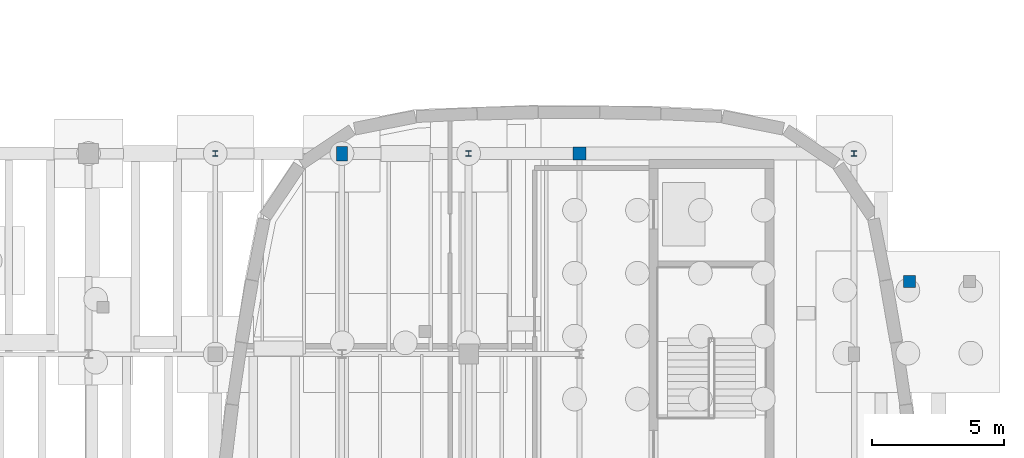
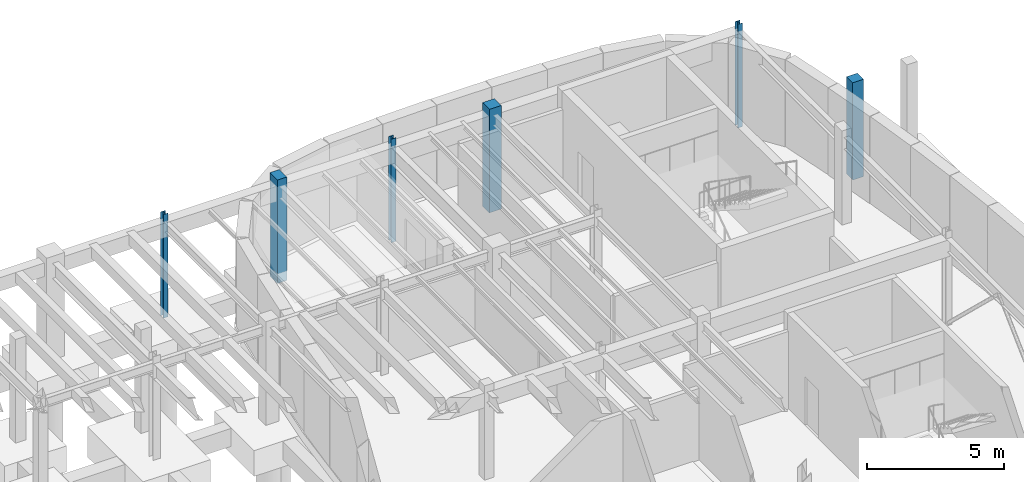
# One storey, part 24 of 45: 6 columns.
"""IFC4 building model written with IfcOpenShell, lengths in metres."""

from ifc_helpers import new_model, si_unit, direction, frame, origin, origin_2d, place, context, subcontext, project, spatial, rectangle, i_section, extrude, material, material_profile, profile_set, type_object, element, save


model = new_model("IFC4")

# Units and contexts
model_context = context("Model", 3, precision=1e-05, world=origin(), true_north=direction((0.0, 1.0)))
body_context = subcontext(model_context, "Body", "Model", "MODEL_VIEW")
ifc_project = project(units=[si_unit("LENGTHUNIT", "METRE"), si_unit("AREAUNIT", "SQUARE_METRE"), si_unit("VOLUMEUNIT", "CUBIC_METRE"), si_unit("PLANEANGLEUNIT", "RADIAN"), si_unit("MASSUNIT", "GRAM", prefix="KILO")], contexts=[model_context])

# Site, building, storey
site_placement = place(None, origin())
site = spatial("IfcSite", under=ifc_project, at=site_placement, CompositionType="ELEMENT")
building_placement = place(site_placement, origin())
building = spatial("IfcBuilding", under=site, at=building_placement, Name="Corveleigh Park Community Centre", CompositionType="ELEMENT")
storey_placement = place(building_placement, frame((0.0, 0.0, -4.199951171875)))
storey = spatial("IfcBuildingStorey", under=building, at=storey_placement, Name="B1", CompositionType="ELEMENT", Elevation=-4.199951171875)

# Columns
ifc_material_1 = material(Name="Concrete C40/50", Category="concrete")
ifc_material_profile_1 = material_profile(ifc_material_1, rectangle(XDim=0.39990234375, YDim=0.550048828125, at=origin_2d()), Name="RC-400x550", Category="concrete")
ifc_profile_set_1 = profile_set([ifc_material_profile_1], Name="Concrete C40/50")
column_type_1 = type_object("IfcColumnType", Name="COL-RC-400x550", PredefinedType="COLUMN", material=ifc_profile_set_1)
column_1_placement = place(storey_placement, frame((149.0, 104.199951171875, -0.4150390625), z_axis=(0.0, 0.0, 1.0), x_axis=(1.0, 0.0, 0.0)))
element("IfcColumn", 1, at=column_1_placement, inside=storey, type_object=column_type_1, Name="Column V4-X4Y6 B1", PredefinedType="COLUMN", context=body_context, shape_type="SweptSolid", body=[
    extrude(rectangle(XDim=0.39990234375, YDim=0.550048828125, at=origin_2d()), origin(), (0.0, 0.0, 1.0), 4.614990234375),
])
ifc_material_profile_2 = material_profile(ifc_material_1, rectangle(XDim=0.449951171875, YDim=0.449951171875, at=origin_2d()), Name="RC-450x450", Category="concrete")
ifc_profile_set_2 = profile_set([ifc_material_profile_2], Name="Concrete C40/50")
column_type_2 = type_object("IfcColumnType", Name="COL-RC-450x450", PredefinedType="COLUMN", material=ifc_profile_set_2)
column_2_placement = place(storey_placement, frame((170.501953125, 99.35693359375, -0.4150390625), z_axis=(0.0, 0.0, 1.0), x_axis=(1.0, 0.0, 0.0)))
element("IfcColumn", 2, at=column_2_placement, inside=storey, type_object=column_type_2, Name="External deck support pier 176 B1", PredefinedType="COLUMN", context=body_context, shape_type="SweptSolid", body=[
    extrude(rectangle(XDim=0.449951171875, YDim=0.449951171875, at=origin_2d()), origin(), (0.0, 0.0, 1.0), 4.3330078125),
])
ifc_material_profile_3 = material_profile(ifc_material_1, rectangle(XDim=0.5, YDim=0.5, at=origin_2d()), Name="RC-500x500", Category="concrete")
ifc_profile_set_3 = profile_set([ifc_material_profile_3], Name="Concrete C40/50")
column_type_3 = type_object("IfcColumnType", Name="COL-RC-500x500", PredefinedType="COLUMN", material=ifc_profile_set_3)
column_3_placement = place(storey_placement, frame((158.0, 104.199951171875, -0.4150390625), z_axis=(0.0, 0.0, 1.0), x_axis=(1.0, 0.0, 0.0)))
element("IfcColumn", 3, at=column_3_placement, inside=storey, type_object=column_type_3, Name="Column V4-X6Y6 B1", PredefinedType="COLUMN", context=body_context, shape_type="SweptSolid", body=[
    extrude(rectangle(XDim=0.5, YDim=0.5, at=origin_2d()), origin(), (0.0, 0.0, 1.0), 4.614990234375),
])
ifc_material_2 = material(Name="Steel S355", Category="steel")
ifc_material_profile_4 = material_profile(ifc_material_2, i_section(OverallWidth=0.204345703125, OverallDepth=0.206298828125, WebThickness=0.0078125, FlangeThickness=0.012451171875, at=origin_2d()), Name="UKC 203x203x52", Category="steel")
ifc_profile_set_4 = profile_set([ifc_material_profile_4], Name="Steel S355")
column_type_4 = type_object("IfcColumnType", Name="COL-STL-UKC203x52", PredefinedType="COLUMN", material=ifc_profile_set_4)
column_4_placement = place(storey_placement, frame((144.199951171875, 104.199951171875, -0.4150390625), z_axis=(0.0, 0.0, 1.0), x_axis=(1.0, 0.0, 0.0)))
element("IfcColumn", 4, at=column_4_placement, inside=storey, type_object=column_type_4, Name="Column V4-X3Y6 B1", PredefinedType="COLUMN", context=body_context, shape_type="SweptSolid", body=[
    extrude(i_section(OverallWidth=0.204345703125, OverallDepth=0.206298828125, WebThickness=0.0078125, FlangeThickness=0.012451171875, at=origin_2d()), origin(), (0.0, 0.0, 1.0), 4.614990234375),
])
ifc_material_profile_5 = material_profile(ifc_material_2, i_section(OverallWidth=0.205810546875, OverallDepth=0.209716796875, WebThickness=0.009521484375, FlangeThickness=0.01416015625, at=origin_2d()), Name="UKC 203x203x60", Category="steel")
ifc_profile_set_5 = profile_set([ifc_material_profile_5], Name="Steel S355")
column_type_5 = type_object("IfcColumnType", Name="COL-STL-UKC203x60", PredefinedType="COLUMN", material=ifc_profile_set_5)
column_5_placement = place(storey_placement, frame((153.800048828125, 104.199951171875, -0.4150390625), z_axis=(0.0, 0.0, 1.0), x_axis=(1.0, 0.0, 0.0)))
element("IfcColumn", 5, at=column_5_placement, inside=storey, type_object=column_type_5, Name="Column V4-X5Y6 B1", PredefinedType="COLUMN", context=body_context, shape_type="SweptSolid", body=[
    extrude(i_section(OverallWidth=0.205810546875, OverallDepth=0.209716796875, WebThickness=0.009521484375, FlangeThickness=0.01416015625, at=origin_2d()), origin(), (0.0, 0.0, 1.0), 4.614990234375),
])
ifc_material_profile_6 = material_profile(ifc_material_2, i_section(OverallWidth=0.206298828125, OverallDepth=0.2158203125, WebThickness=0.010009765625, FlangeThickness=0.017333984375, at=origin_2d()), Name="UKC 203x203x71", Category="steel")
ifc_profile_set_6 = profile_set([ifc_material_profile_6], Name="Steel S355")
column_type_6 = type_object("IfcColumnType", Name="COL-STL-UKC203x71", PredefinedType="COLUMN", material=ifc_profile_set_6)
column_6_placement = place(storey_placement, frame((168.39990234375, 104.199951171875, -0.4150390625), z_axis=(0.0, 0.0, 1.0), x_axis=(1.0, 0.0, 0.0)))
element("IfcColumn", 6, at=column_6_placement, inside=storey, type_object=column_type_6, Name="Column V4-X7Y6 B1", PredefinedType="COLUMN", context=body_context, shape_type="SweptSolid", body=[
    extrude(i_section(OverallWidth=0.206298828125, OverallDepth=0.2158203125, WebThickness=0.010009765625, FlangeThickness=0.017333984375, at=origin_2d()), origin(), (0.0, 0.0, 1.0), 4.614990234375),
])

save(model, "model.ifc")
